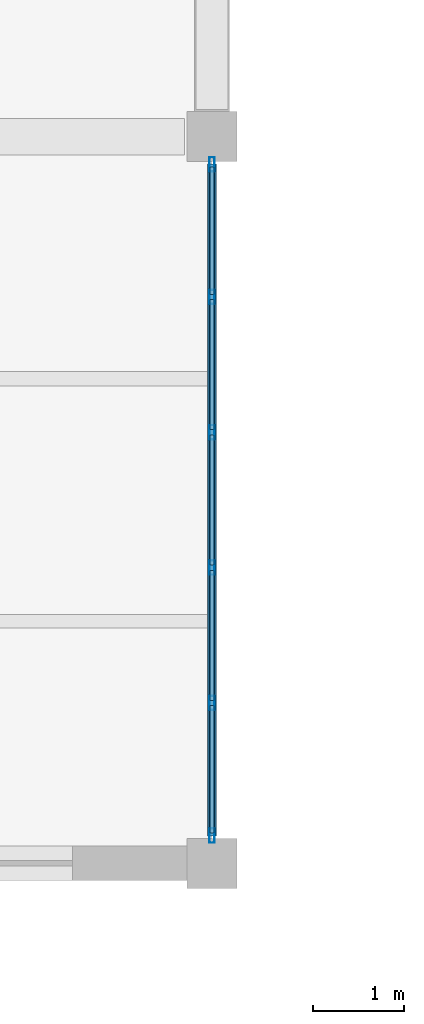
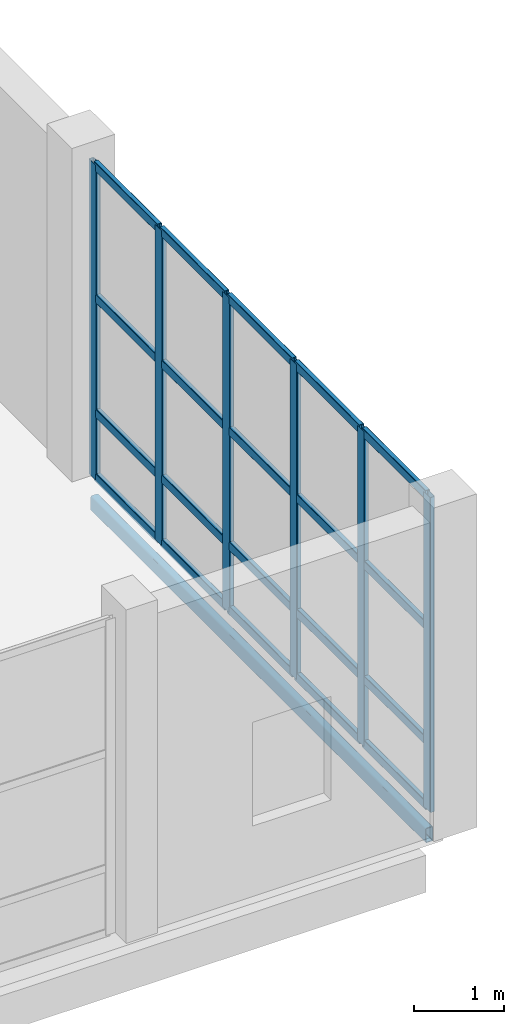
# One storey, part 49 of 183: 26 members, 1 beam, 1 element without a shape of its own.
"""IFC4 building model written with IfcOpenShell, lengths in metres."""

from ifc_helpers import new_model, si_unit, direction, frame, origin, origin_2d, place, context, subcontext, project, spatial, hollow_rectangle, extrude, material, material_profile, profile_set, type_object, element, aggregate, save


model = new_model("IFC4")

# Units and contexts
model_context = context("Model", 3, precision=1e-05, world=origin(), true_north=direction((0.0, 1.0)))
body_context = subcontext(model_context, "Body", "Model", "MODEL_VIEW")
ifc_project = project(units=[si_unit("LENGTHUNIT", "METRE"), si_unit("AREAUNIT", "SQUARE_METRE"), si_unit("VOLUMEUNIT", "CUBIC_METRE"), si_unit("PLANEANGLEUNIT", "RADIAN"), si_unit("MASSUNIT", "GRAM", prefix="KILO")], contexts=[model_context])

# Site, building, storey
site_placement = place(None, origin())
site = spatial("IfcSite", under=ifc_project, at=site_placement, CompositionType="ELEMENT")
building_placement = place(site_placement, origin())
building = spatial("IfcBuilding", under=site, at=building_placement, Name="Luwemba Playhouse", CompositionType="ELEMENT")
storey_placement = place(building_placement, frame((0.0, 0.0, 4.800048828125)))
storey = spatial("IfcBuildingStorey", under=building, at=storey_placement, Name="L01", CompositionType="ELEMENT", Elevation=4.800048828125)

# Beam
ifc_material_1 = material(Name="Steel S355", Category="steel")
ifc_material_profile_1 = material_profile(ifc_material_1, hollow_rectangle(XDim=0.10009765625, YDim=0.199951171875, WallThickness=0.008056640625, InnerFilletRadius=0.011962890625, OuterFilletRadius=0.02001953125, at=origin_2d()))
ifc_profile_set_1 = profile_set([ifc_material_profile_1], Name="Steel S355")
beam_type = type_object("IfcBeamType", Name="BM-SSP2", PredefinedType="SPANDREL", material=ifc_profile_set_1)
beam_placement = place(storey_placement, frame((52.0, 36.300048828125, -0.35009765625), z_axis=(0.0, 1.0, 0.0), x_axis=(-1.0, 0.0, 0.0)))
element("IfcBeam", 1, at=beam_placement, inside=storey, type_object=beam_type, Name="L01 transverse girder 0371", PredefinedType="SPANDREL", context=body_context, shape_type="SweptSolid", body=[
    extrude(hollow_rectangle(XDim=0.10009765625, YDim=0.199951171875, WallThickness=0.008056640625, InnerFilletRadius=0.011962890625, OuterFilletRadius=0.02001953125, at=origin_2d()), origin(), (0.0, 0.0, 1.0), 7.39990234375),
])

# Curtain wall, members
ifc_material_2 = material(Name="Solar-control double glazing", Category="glass")
curtain_wall_type = type_object("IfcCurtainWallType", Name="CW-CW74", PredefinedType="USERDEFINED", material=ifc_material_2)
curtain_wall_placement = place(storey_placement, origin())
curtain_wall = element("IfcCurtainWall", 2, at=curtain_wall_placement, inside=storey, type_object=curtain_wall_type, Name="L01 V1 unitised curtain wall 098", ObjectType="UNITISED GLAZING", PredefinedType="USERDEFINED")
ifc_material_3 = material(Name="Aluminium 6063-T6", Category="aluminium")
ifc_material_profile_2 = material_profile(ifc_material_3, hollow_rectangle(XDim=0.06005859375, YDim=0.159912109375, WallThickness=0.00390625, InnerFilletRadius=0.006103515625, OuterFilletRadius=0.010009765625, at=origin_2d()))
ifc_profile_set_2 = profile_set([ifc_material_profile_2], Name="Aluminium 6063-T6")
member_type_1 = type_object("IfcMemberType", Name="CWM-M1", PredefinedType="MULLION", material=ifc_profile_set_2)
member_1_placement = place(storey_placement, frame((52.0, 43.695068359375, 0.0), z_axis=(0.0, 0.0, 1.0), x_axis=(1.0, 0.0, 0.0)))
member_1 = element("IfcMember", 3, at=member_1_placement, type_object=member_type_1, Name="CW74 mullion 1", PredefinedType="MULLION", context=body_context, shape_type="SweptSolid", body=[
    extrude(hollow_rectangle(XDim=0.06005859375, YDim=0.159912109375, WallThickness=0.00390625, InnerFilletRadius=0.006103515625, OuterFilletRadius=0.010009765625, at=origin_2d()), origin(), (0.0, 0.0, 1.0), 4.25),
])
member_2_placement = place(storey_placement, frame((52.0, 42.235107421875, 0.0), z_axis=(0.0, 0.0, 1.0), x_axis=(1.0, 0.0, 0.0)))
member_2 = element("IfcMember", 4, at=member_2_placement, type_object=member_type_1, Name="CW74 mullion 2", PredefinedType="MULLION", context=body_context, shape_type="SweptSolid", body=[
    extrude(hollow_rectangle(XDim=0.06005859375, YDim=0.159912109375, WallThickness=0.00390625, InnerFilletRadius=0.006103515625, OuterFilletRadius=0.010009765625, at=origin_2d()), origin(), (0.0, 0.0, 1.0), 4.25),
])
member_3_placement = place(storey_placement, frame((52.0, 40.7451171875, 0.0), z_axis=(0.0, 0.0, 1.0), x_axis=(1.0, 0.0, 0.0)))
member_3 = element("IfcMember", 5, at=member_3_placement, type_object=member_type_1, Name="CW74 mullion 3", PredefinedType="MULLION", context=body_context, shape_type="SweptSolid", body=[
    extrude(hollow_rectangle(XDim=0.06005859375, YDim=0.159912109375, WallThickness=0.00390625, InnerFilletRadius=0.006103515625, OuterFilletRadius=0.010009765625, at=origin_2d()), origin(), (0.0, 0.0, 1.0), 4.25),
])
member_4_placement = place(storey_placement, frame((52.0, 39.2548828125, 0.0), z_axis=(0.0, 0.0, 1.0), x_axis=(1.0, 0.0, 0.0)))
member_4 = element("IfcMember", 6, at=member_4_placement, type_object=member_type_1, Name="CW74 mullion 4", PredefinedType="MULLION", context=body_context, shape_type="SweptSolid", body=[
    extrude(hollow_rectangle(XDim=0.06005859375, YDim=0.159912109375, WallThickness=0.00390625, InnerFilletRadius=0.006103515625, OuterFilletRadius=0.010009765625, at=origin_2d()), origin(), (0.0, 0.0, 1.0), 4.25),
])
member_5_placement = place(storey_placement, frame((52.0, 37.764892578125, 0.0), z_axis=(0.0, 0.0, 1.0), x_axis=(1.0, 0.0, 0.0)))
member_5 = element("IfcMember", 7, at=member_5_placement, type_object=member_type_1, Name="CW74 mullion 5", PredefinedType="MULLION", context=body_context, shape_type="SweptSolid", body=[
    extrude(hollow_rectangle(XDim=0.06005859375, YDim=0.159912109375, WallThickness=0.00390625, InnerFilletRadius=0.006103515625, OuterFilletRadius=0.010009765625, at=origin_2d()), origin(), (0.0, 0.0, 1.0), 4.25),
])
member_6_placement = place(storey_placement, frame((52.0, 36.304931640625, 0.0), z_axis=(0.0, 0.0, 1.0), x_axis=(1.0, 0.0, 0.0)))
member_6 = element("IfcMember", 8, at=member_6_placement, type_object=member_type_1, Name="CW74 mullion 6", PredefinedType="MULLION", context=body_context, shape_type="SweptSolid", body=[
    extrude(hollow_rectangle(XDim=0.06005859375, YDim=0.159912109375, WallThickness=0.00390625, InnerFilletRadius=0.006103515625, OuterFilletRadius=0.010009765625, at=origin_2d()), origin(), (0.0, 0.0, 1.0), 4.25),
])
ifc_material_profile_3 = material_profile(ifc_material_3, hollow_rectangle(XDim=0.06005859375, YDim=0.1201171875, WallThickness=0.00390625, InnerFilletRadius=0.006103515625, OuterFilletRadius=0.010009765625, at=origin_2d()))
ifc_profile_set_3 = profile_set([ifc_material_profile_3], Name="Aluminium 6063-T6")
member_type_2 = type_object("IfcMemberType", Name="CWT-T1", PredefinedType="USERDEFINED", material=ifc_profile_set_3)
member_7_placement = place(storey_placement, frame((52.0, 43.6650390625, 0.030029296875), z_axis=(0.0, -1.0, 0.0), x_axis=(1.0, 0.0, 0.0)))
member_7 = element("IfcMember", 9, at=member_7_placement, type_object=member_type_2, Name="CW74 transom 1.1", ObjectType="TRANSOM", PredefinedType="USERDEFINED", context=body_context, shape_type="SweptSolid", body=[
    extrude(hollow_rectangle(XDim=0.06005859375, YDim=0.1201171875, WallThickness=0.00390625, InnerFilletRadius=0.006103515625, OuterFilletRadius=0.010009765625, at=origin_2d()), origin(), (0.0, 0.0, 1.0), 1.400146484375),
])
member_8_placement = place(storey_placement, frame((52.0, 43.6650390625, 0.89990234375), z_axis=(0.0, -1.0, 0.0), x_axis=(1.0, 0.0, 0.0)))
member_8 = element("IfcMember", 10, at=member_8_placement, type_object=member_type_2, Name="CW74 transom 1.2", ObjectType="TRANSOM", PredefinedType="USERDEFINED", context=body_context, shape_type="SweptSolid", body=[
    extrude(hollow_rectangle(XDim=0.06005859375, YDim=0.1201171875, WallThickness=0.00390625, InnerFilletRadius=0.006103515625, OuterFilletRadius=0.010009765625, at=origin_2d()), origin(), (0.0, 0.0, 1.0), 1.400146484375),
])
member_9_placement = place(storey_placement, frame((52.0, 43.6650390625, 2.449951171875), z_axis=(0.0, -1.0, 0.0), x_axis=(1.0, 0.0, 0.0)))
member_9 = element("IfcMember", 11, at=member_9_placement, type_object=member_type_2, Name="CW74 transom 1.3", ObjectType="TRANSOM", PredefinedType="USERDEFINED", context=body_context, shape_type="SweptSolid", body=[
    extrude(hollow_rectangle(XDim=0.06005859375, YDim=0.1201171875, WallThickness=0.00390625, InnerFilletRadius=0.006103515625, OuterFilletRadius=0.010009765625, at=origin_2d()), origin(), (0.0, 0.0, 1.0), 1.400146484375),
])
member_10_placement = place(storey_placement, frame((52.0, 43.6650390625, 4.219970703125), z_axis=(0.0, -1.0, 0.0), x_axis=(1.0, 0.0, 0.0)))
member_10 = element("IfcMember", 12, at=member_10_placement, type_object=member_type_2, Name="CW74 transom 1.4", ObjectType="TRANSOM", PredefinedType="USERDEFINED", context=body_context, shape_type="SweptSolid", body=[
    extrude(hollow_rectangle(XDim=0.06005859375, YDim=0.1201171875, WallThickness=0.00390625, InnerFilletRadius=0.006103515625, OuterFilletRadius=0.010009765625, at=origin_2d()), origin(), (0.0, 0.0, 1.0), 1.400146484375),
])
member_11_placement = place(storey_placement, frame((52.0, 42.205078125, 0.030029296875), z_axis=(0.0, -1.0, 0.0), x_axis=(1.0, 0.0, 0.0)))
member_11 = element("IfcMember", 13, at=member_11_placement, type_object=member_type_2, Name="CW74 transom 2.1", ObjectType="TRANSOM", PredefinedType="USERDEFINED", context=body_context, shape_type="SweptSolid", body=[
    extrude(hollow_rectangle(XDim=0.06005859375, YDim=0.1201171875, WallThickness=0.00390625, InnerFilletRadius=0.006103515625, OuterFilletRadius=0.010009765625, at=origin_2d()), origin(), (0.0, 0.0, 1.0), 1.43017578125),
])
member_12_placement = place(storey_placement, frame((52.0, 42.205078125, 0.89990234375), z_axis=(0.0, -1.0, 0.0), x_axis=(1.0, 0.0, 0.0)))
member_12 = element("IfcMember", 14, at=member_12_placement, type_object=member_type_2, Name="CW74 transom 2.2", ObjectType="TRANSOM", PredefinedType="USERDEFINED", context=body_context, shape_type="SweptSolid", body=[
    extrude(hollow_rectangle(XDim=0.06005859375, YDim=0.1201171875, WallThickness=0.00390625, InnerFilletRadius=0.006103515625, OuterFilletRadius=0.010009765625, at=origin_2d()), origin(), (0.0, 0.0, 1.0), 1.43017578125),
])
member_13_placement = place(storey_placement, frame((52.0, 42.205078125, 2.449951171875), z_axis=(0.0, -1.0, 0.0), x_axis=(1.0, 0.0, 0.0)))
member_13 = element("IfcMember", 15, at=member_13_placement, type_object=member_type_2, Name="CW74 transom 2.3", ObjectType="TRANSOM", PredefinedType="USERDEFINED", context=body_context, shape_type="SweptSolid", body=[
    extrude(hollow_rectangle(XDim=0.06005859375, YDim=0.1201171875, WallThickness=0.00390625, InnerFilletRadius=0.006103515625, OuterFilletRadius=0.010009765625, at=origin_2d()), origin(), (0.0, 0.0, 1.0), 1.43017578125),
])
member_14_placement = place(storey_placement, frame((52.0, 42.205078125, 4.219970703125), z_axis=(0.0, -1.0, 0.0), x_axis=(1.0, 0.0, 0.0)))
member_14 = element("IfcMember", 16, at=member_14_placement, type_object=member_type_2, Name="CW74 transom 2.4", ObjectType="TRANSOM", PredefinedType="USERDEFINED", context=body_context, shape_type="SweptSolid", body=[
    extrude(hollow_rectangle(XDim=0.06005859375, YDim=0.1201171875, WallThickness=0.00390625, InnerFilletRadius=0.006103515625, OuterFilletRadius=0.010009765625, at=origin_2d()), origin(), (0.0, 0.0, 1.0), 1.43017578125),
])
member_15_placement = place(storey_placement, frame((52.0, 40.715087890625, 0.030029296875), z_axis=(0.0, -1.0, 0.0), x_axis=(1.0, 0.0, 0.0)))
member_15 = element("IfcMember", 17, at=member_15_placement, type_object=member_type_2, Name="CW74 transom 3.1", ObjectType="TRANSOM", PredefinedType="USERDEFINED", context=body_context, shape_type="SweptSolid", body=[
    extrude(hollow_rectangle(XDim=0.06005859375, YDim=0.1201171875, WallThickness=0.00390625, InnerFilletRadius=0.006103515625, OuterFilletRadius=0.010009765625, at=origin_2d()), origin(), (0.0, 0.0, 1.0), 1.43017578125),
])
member_16_placement = place(storey_placement, frame((52.0, 40.715087890625, 0.89990234375), z_axis=(0.0, -1.0, 0.0), x_axis=(1.0, 0.0, 0.0)))
member_16 = element("IfcMember", 18, at=member_16_placement, type_object=member_type_2, Name="CW74 transom 3.2", ObjectType="TRANSOM", PredefinedType="USERDEFINED", context=body_context, shape_type="SweptSolid", body=[
    extrude(hollow_rectangle(XDim=0.06005859375, YDim=0.1201171875, WallThickness=0.00390625, InnerFilletRadius=0.006103515625, OuterFilletRadius=0.010009765625, at=origin_2d()), origin(), (0.0, 0.0, 1.0), 1.43017578125),
])
member_17_placement = place(storey_placement, frame((52.0, 40.715087890625, 2.449951171875), z_axis=(0.0, -1.0, 0.0), x_axis=(1.0, 0.0, 0.0)))
member_17 = element("IfcMember", 19, at=member_17_placement, type_object=member_type_2, Name="CW74 transom 3.3", ObjectType="TRANSOM", PredefinedType="USERDEFINED", context=body_context, shape_type="SweptSolid", body=[
    extrude(hollow_rectangle(XDim=0.06005859375, YDim=0.1201171875, WallThickness=0.00390625, InnerFilletRadius=0.006103515625, OuterFilletRadius=0.010009765625, at=origin_2d()), origin(), (0.0, 0.0, 1.0), 1.43017578125),
])
member_18_placement = place(storey_placement, frame((52.0, 40.715087890625, 4.219970703125), z_axis=(0.0, -1.0, 0.0), x_axis=(1.0, 0.0, 0.0)))
member_18 = element("IfcMember", 20, at=member_18_placement, type_object=member_type_2, Name="CW74 transom 3.4", ObjectType="TRANSOM", PredefinedType="USERDEFINED", context=body_context, shape_type="SweptSolid", body=[
    extrude(hollow_rectangle(XDim=0.06005859375, YDim=0.1201171875, WallThickness=0.00390625, InnerFilletRadius=0.006103515625, OuterFilletRadius=0.010009765625, at=origin_2d()), origin(), (0.0, 0.0, 1.0), 1.43017578125),
])
member_19_placement = place(storey_placement, frame((52.0, 39.22509765625, 0.030029296875), z_axis=(0.0, -1.0, 0.0), x_axis=(1.0, 0.0, 0.0)))
member_19 = element("IfcMember", 21, at=member_19_placement, type_object=member_type_2, Name="CW74 transom 4.1", ObjectType="TRANSOM", PredefinedType="USERDEFINED", context=body_context, shape_type="SweptSolid", body=[
    extrude(hollow_rectangle(XDim=0.06005859375, YDim=0.1201171875, WallThickness=0.00390625, InnerFilletRadius=0.006103515625, OuterFilletRadius=0.010009765625, at=origin_2d()), origin(), (0.0, 0.0, 1.0), 1.43017578125),
])
member_20_placement = place(storey_placement, frame((52.0, 39.22509765625, 0.89990234375), z_axis=(0.0, -1.0, 0.0), x_axis=(1.0, 0.0, 0.0)))
member_20 = element("IfcMember", 22, at=member_20_placement, type_object=member_type_2, Name="CW74 transom 4.2", ObjectType="TRANSOM", PredefinedType="USERDEFINED", context=body_context, shape_type="SweptSolid", body=[
    extrude(hollow_rectangle(XDim=0.06005859375, YDim=0.1201171875, WallThickness=0.00390625, InnerFilletRadius=0.006103515625, OuterFilletRadius=0.010009765625, at=origin_2d()), origin(), (0.0, 0.0, 1.0), 1.43017578125),
])
member_21_placement = place(storey_placement, frame((52.0, 39.22509765625, 2.449951171875), z_axis=(0.0, -1.0, 0.0), x_axis=(1.0, 0.0, 0.0)))
member_21 = element("IfcMember", 23, at=member_21_placement, type_object=member_type_2, Name="CW74 transom 4.3", ObjectType="TRANSOM", PredefinedType="USERDEFINED", context=body_context, shape_type="SweptSolid", body=[
    extrude(hollow_rectangle(XDim=0.06005859375, YDim=0.1201171875, WallThickness=0.00390625, InnerFilletRadius=0.006103515625, OuterFilletRadius=0.010009765625, at=origin_2d()), origin(), (0.0, 0.0, 1.0), 1.43017578125),
])
member_22_placement = place(storey_placement, frame((52.0, 39.22509765625, 4.219970703125), z_axis=(0.0, -1.0, 0.0), x_axis=(1.0, 0.0, 0.0)))
member_22 = element("IfcMember", 24, at=member_22_placement, type_object=member_type_2, Name="CW74 transom 4.4", ObjectType="TRANSOM", PredefinedType="USERDEFINED", context=body_context, shape_type="SweptSolid", body=[
    extrude(hollow_rectangle(XDim=0.06005859375, YDim=0.1201171875, WallThickness=0.00390625, InnerFilletRadius=0.006103515625, OuterFilletRadius=0.010009765625, at=origin_2d()), origin(), (0.0, 0.0, 1.0), 1.43017578125),
])
member_23_placement = place(storey_placement, frame((52.0, 37.735107421875, 0.030029296875), z_axis=(0.0, -1.0, 0.0), x_axis=(1.0, 0.0, 0.0)))
member_23 = element("IfcMember", 25, at=member_23_placement, type_object=member_type_2, Name="CW74 transom 5.1", ObjectType="TRANSOM", PredefinedType="USERDEFINED", context=body_context, shape_type="SweptSolid", body=[
    extrude(hollow_rectangle(XDim=0.06005859375, YDim=0.1201171875, WallThickness=0.00390625, InnerFilletRadius=0.006103515625, OuterFilletRadius=0.010009765625, at=origin_2d()), origin(), (0.0, 0.0, 1.0), 1.400146484375),
])
member_24_placement = place(storey_placement, frame((52.0, 37.735107421875, 0.89990234375), z_axis=(0.0, -1.0, 0.0), x_axis=(1.0, 0.0, 0.0)))
member_24 = element("IfcMember", 26, at=member_24_placement, type_object=member_type_2, Name="CW74 transom 5.2", ObjectType="TRANSOM", PredefinedType="USERDEFINED", context=body_context, shape_type="SweptSolid", body=[
    extrude(hollow_rectangle(XDim=0.06005859375, YDim=0.1201171875, WallThickness=0.00390625, InnerFilletRadius=0.006103515625, OuterFilletRadius=0.010009765625, at=origin_2d()), origin(), (0.0, 0.0, 1.0), 1.400146484375),
])
member_25_placement = place(storey_placement, frame((52.0, 37.735107421875, 2.449951171875), z_axis=(0.0, -1.0, 0.0), x_axis=(1.0, 0.0, 0.0)))
member_25 = element("IfcMember", 27, at=member_25_placement, type_object=member_type_2, Name="CW74 transom 5.3", ObjectType="TRANSOM", PredefinedType="USERDEFINED", context=body_context, shape_type="SweptSolid", body=[
    extrude(hollow_rectangle(XDim=0.06005859375, YDim=0.1201171875, WallThickness=0.00390625, InnerFilletRadius=0.006103515625, OuterFilletRadius=0.010009765625, at=origin_2d()), origin(), (0.0, 0.0, 1.0), 1.400146484375),
])
member_26_placement = place(storey_placement, frame((52.0, 37.735107421875, 4.219970703125), z_axis=(0.0, -1.0, 0.0), x_axis=(1.0, 0.0, 0.0)))
member_26 = element("IfcMember", 28, at=member_26_placement, type_object=member_type_2, Name="CW74 transom 5.4", ObjectType="TRANSOM", PredefinedType="USERDEFINED", context=body_context, shape_type="SweptSolid", body=[
    extrude(hollow_rectangle(XDim=0.06005859375, YDim=0.1201171875, WallThickness=0.00390625, InnerFilletRadius=0.006103515625, OuterFilletRadius=0.010009765625, at=origin_2d()), origin(), (0.0, 0.0, 1.0), 1.400146484375),
])
aggregate(curtain_wall, [member_1, member_2, member_3, member_4, member_5, member_6, member_7, member_8, member_9, member_10, member_11, member_12, member_13, member_14, member_15, member_16, member_17, member_18, member_19, member_20, member_21, member_22, member_23, member_24, member_25, member_26])

save(model, "model.ifc")
